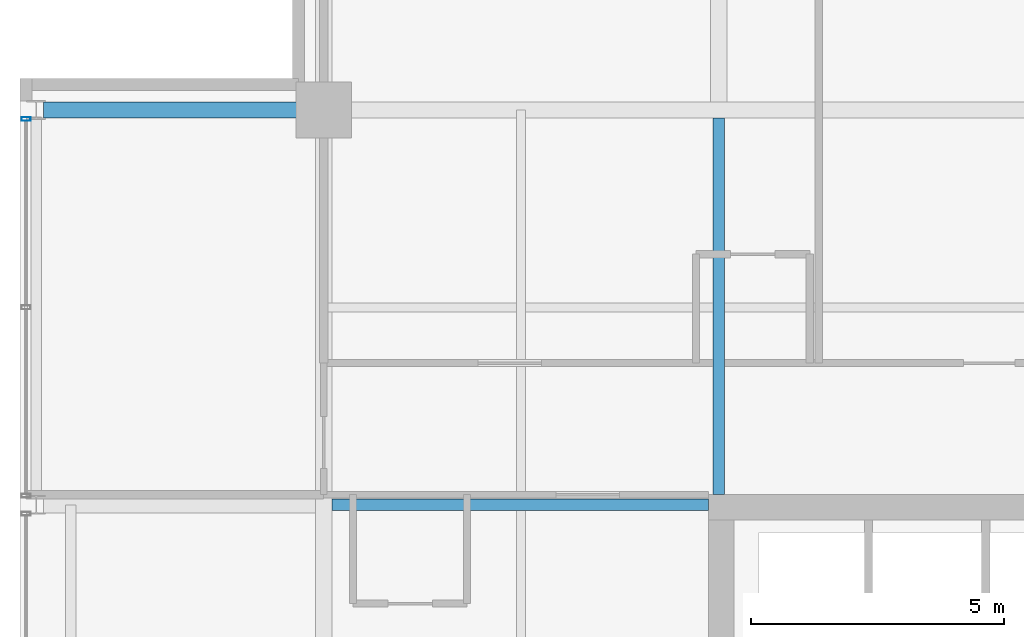
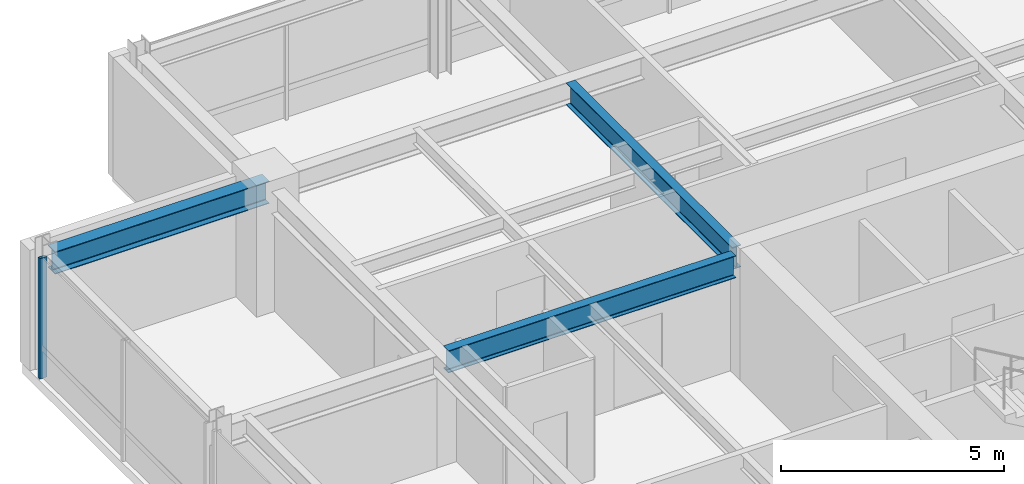
# One storey, part 20 of 34: 3 beams, 1 member, 1 element without a shape of its own.
"""IFC4 building model written with IfcOpenShell, lengths in metres."""

from ifc_helpers import new_model, si_unit, direction, frame, origin, origin_2d, place, context, subcontext, project, spatial, hollow_rectangle, i_section, extrude, material, layer, layer_set, material_profile, profile_set, type_object, element, aggregate, save


model = new_model("IFC4")

# Units and contexts
model_context = context("Model", 3, precision=1e-05, world=origin(), true_north=direction((0.0, 1.0)))
body_context = subcontext(model_context, "Body", "Model", "MODEL_VIEW")
ifc_project = project(units=[si_unit("LENGTHUNIT", "METRE"), si_unit("AREAUNIT", "SQUARE_METRE"), si_unit("VOLUMEUNIT", "CUBIC_METRE"), si_unit("PLANEANGLEUNIT", "RADIAN"), si_unit("MASSUNIT", "GRAM", prefix="KILO")], contexts=[model_context])

# Site, building, storey
site_placement = place(None, origin())
site = spatial("IfcSite", under=ifc_project, at=site_placement, CompositionType="ELEMENT")
building_placement = place(site_placement, origin())
building = spatial("IfcBuilding", under=site, at=building_placement, Name="Drelvath Grand Hotel", CompositionType="ELEMENT")
storey_placement = place(building_placement, frame((0.0, 0.0, 251.89990234375)))
storey = spatial("IfcBuildingStorey", under=building, at=storey_placement, Name="L66", CompositionType="ELEMENT", Elevation=251.89990234375)

# Curtain wall, member
ifc_material_1 = material(Name="Platinum-Mist Anodised Aluminium Frame", Category="aluminium")
ifc_layer = layer(ifc_material_1, 0.199951171875)
ifc_layer_set = layer_set([ifc_layer], Name="Platinum-Mist Anodised Aluminium Frame")
curtain_wall_type = type_object("IfcCurtainWallType", Name="Stick Curtain Wall CW-05 Platinum Mist High-Rise", PredefinedType="NOTDEFINED", material=ifc_layer_set)
curtain_wall_placement = place(storey_placement, origin())
curtain_wall = element("IfcCurtainWall", 1, at=curtain_wall_placement, inside=storey, type_object=curtain_wall_type, Name="L66 CW-05 Curtain Wall CW05-L66-WN2", PredefinedType="NOTDEFINED")
ifc_material_profile_1 = material_profile(ifc_material_1, hollow_rectangle(XDim=0.074951171875, YDim=0.179931640625, WallThickness=0.0048828125, at=origin_2d()), Name="HSS180X75X5")
ifc_profile_set_1 = profile_set([ifc_material_profile_1], Name="Platinum-Mist Anodised Aluminium Frame")
member_type = type_object("IfcMemberType", Name="Curtain Wall Vertical Mullion CW-05 HSS180X75X5", PredefinedType="MULLION", material=ifc_profile_set_1)
member_placement = place(storey_placement, frame((-22.080078125, 43.021728515625, 0.0), z_axis=(0.0, 0.0, 1.0), x_axis=(0.0, 1.0, 0.0)))
member = element("IfcMember", 2, at=member_placement, type_object=member_type, Name="CW05-L66-WN2 Mullion 3", PredefinedType="MULLION", context=body_context, shape_type="SweptSolid", body=[
    extrude(hollow_rectangle(XDim=0.074951171875, YDim=0.179931640625, WallThickness=0.0048828125, at=origin_2d()), origin(), (0.0, 0.0, 1.0), 3.300048828125),
])
aggregate(curtain_wall, [member])

# Beams
ifc_material_2 = material(Name="Steel ASTM A992 Gr 50", Category="steel")
ifc_material_profile_2 = material_profile(ifc_material_2, i_section(OverallWidth=0.323974609375, OverallDepth=0.611083984375, WebThickness=0.0126953125, FlangeThickness=0.01904296875, FilletRadius=0.02197265625, at=origin_2d()), Name="W24X104")
ifc_profile_set_2 = profile_set([ifc_material_profile_2], Name="Steel ASTM A992 Gr 50")
beam_type_1 = type_object("IfcBeamType", Name="Primary Floor Girder W24X104", PredefinedType="BEAM", material=ifc_profile_set_2)
beam_placement = place(storey_placement, frame((-21.739990234375, 43.199951171875, 2.994384765625), z_axis=(1.0, 0.0, 0.0), x_axis=(0.0, 1.0, 0.0)))
element("IfcBeam", 3, at=beam_placement, inside=storey, type_object=beam_type_1, Name="L66 West Grid Girder G", PredefinedType="BEAM", context=body_context, shape_type="SweptSolid", body=[
    extrude(i_section(OverallWidth=0.323974609375, OverallDepth=0.611083984375, WebThickness=0.0126953125, FlangeThickness=0.01904296875, FilletRadius=0.02197265625, at=origin_2d()), origin(), (0.0, 0.0, 1.0), 5.5400390625),
])
ifc_material_profile_3 = material_profile(ifc_material_2, i_section(OverallWidth=0.228271484375, OverallDepth=0.607666015625, WebThickness=0.01123046875, FlangeThickness=0.017333984375, FilletRadius=0.02001953125, at=origin_2d()), Name="W24X76")
ifc_profile_set_3 = profile_set([ifc_material_profile_3], Name="Steel ASTM A992 Gr 50")
beam_type_2 = type_object("IfcBeamType", Name="Primary Floor Girder W24X76", PredefinedType="BEAM", material=ifc_profile_set_3)
for number, where, z_axis, x_axis, name in (
    (4, (-16.0380859375, 35.39990234375, 2.996337890625), (1.0, 0.0, 0.0), (0.0, 1.0, 0.0), "L66 West Core Tie F"),
    (5, (-8.39990234375, 35.60009765625, 2.996337890625), (0.0, 1.0, 0.0), (-1.0, 0.0, 0.0), "L66 North Core Tie 4"),
):
    element("IfcBeam", number, at=place(storey_placement, frame(where, z_axis=z_axis, x_axis=x_axis)), inside=storey, type_object=beam_type_2, Name=name, PredefinedType="BEAM", context=body_context, shape_type="SweptSolid", body=[
        extrude(i_section(OverallWidth=0.228271484375, OverallDepth=0.607666015625, WebThickness=0.01123046875, FlangeThickness=0.017333984375, FilletRadius=0.02001953125, at=origin_2d()), origin(), (0.0, 0.0, 1.0), 7.43798828125),
    ])

save(model, "model.ifc")
